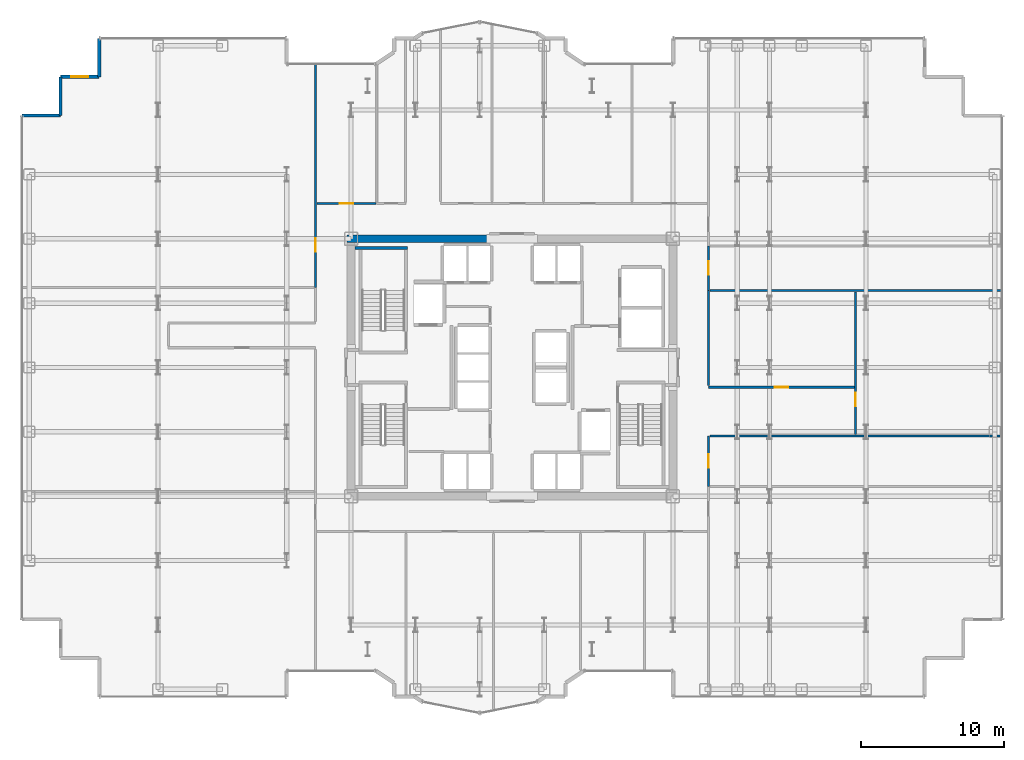
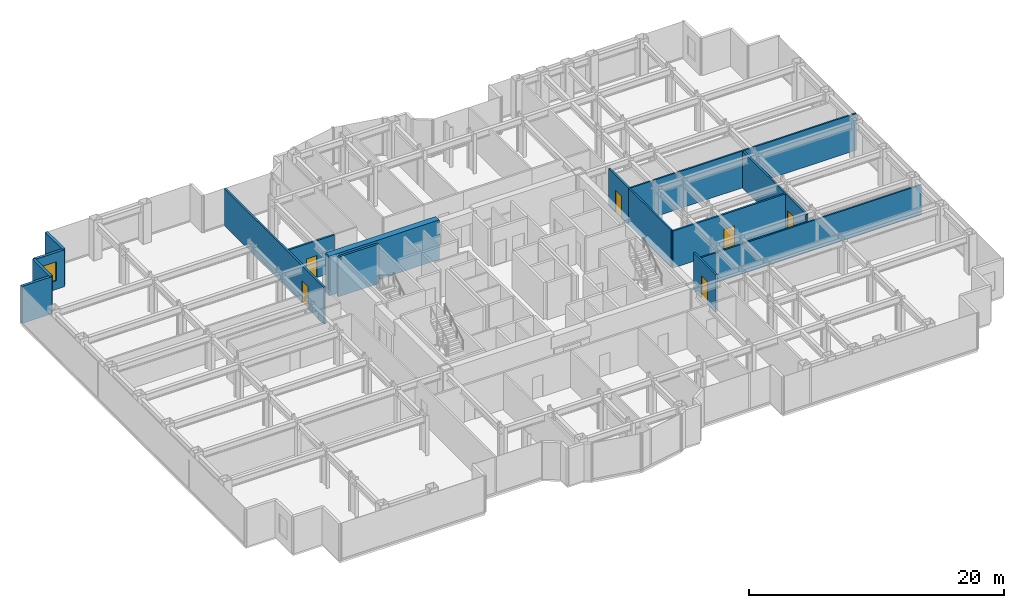
# One storey, part 23 of 26: 15 walls, 6 doors, 1 window, 7 openings.
"""IFC4 building model written with IfcOpenShell, lengths in metres."""

from ifc_helpers import new_model, si_unit, direction, frame, frame_2d, origin, place, context, subcontext, project, spatial, rectangle, extrude, source, transform, mapped, material, layer, layer_set, type_object, element, fill, save


model = new_model("IFC4")

# Units and contexts
model_context = context("Model", 3, precision=1e-05, world=origin(), true_north=direction((0.0, 1.0)))
body_context = subcontext(model_context, "Body", "Model", "MODEL_VIEW")
ifc_project = project(units=[si_unit("LENGTHUNIT", "METRE"), si_unit("AREAUNIT", "SQUARE_METRE"), si_unit("VOLUMEUNIT", "CUBIC_METRE"), si_unit("PLANEANGLEUNIT", "RADIAN"), si_unit("MASSUNIT", "GRAM", prefix="KILO")], contexts=[model_context])

# Site, building, storey
site_placement = place(None, origin())
site = spatial("IfcSite", under=ifc_project, at=site_placement, CompositionType="ELEMENT")
building_placement = place(site_placement, origin())
building = spatial("IfcBuilding", under=site, at=building_placement, Name="Nefas-Gora Pilgrimage Tower", CompositionType="ELEMENT")
storey_placement = place(building_placement, frame((0.0, 0.0, 132.60009765625)))
storey = spatial("IfcBuildingStorey", under=building, at=storey_placement, Name="L32", CompositionType="ELEMENT", Elevation=132.60009765625)

# Walls
ifc_material_1 = material(Name="Concrete C60/75", Category="concrete")
ifc_layer_1 = layer(ifc_material_1, 0.550048828125)
ifc_layer_set_1 = layer_set([ifc_layer_1], Name="Concrete C60/75")
wall_type_1 = type_object("IfcWallType", Name="SW-CORE-550", PredefinedType="SHEAR", material=ifc_layer_set_1)
shared_shape_1 = source(origin(), body_context, "Body", "SweptSolid", [
    extrude(rectangle(XDim=9.974853515625, YDim=0.550048828125, at=frame_2d((4.9873046875, 0.0))), origin(), (0.0, 0.0, 1.0), 3.7998046875),
])
wall_1_placement = place(storey_placement, frame((-11.52490234375, 9.0, 0.0), z_axis=(0.0, 0.0, 1.0), x_axis=(1.0, 0.0, 0.0)))
element("IfcWall", 1, at=wall_1_placement, inside=storey, type_object=wall_type_1, Name="L32 Core Shear Wall N-West", PredefinedType="SHEAR", context=body_context, shape_type="MappedRepresentation", body=[
    mapped(shared_shape_1, transform((0.0, 0.0, 0.0), x_axis=(1.0, 0.0, 0.0), y_axis=(0.0, 1.0, 0.0), z_axis=(0.0, 0.0, 1.0), scale=1.0)),
])
ifc_material_2 = material(Name="Precast concrete C45/55", Category="concrete")
ifc_layer_2 = layer(ifc_material_2, 0.239990234375)
ifc_layer_set_2 = layer_set([ifc_layer_2], Name="Precast concrete C45/55")
wall_type_2 = type_object("IfcWallType", Name="EW-SERR-240", PredefinedType="SHEAR", material=ifc_layer_set_2)
shared_shape_2 = source(origin(), body_context, "Body", "SweptSolid", [
    extrude(rectangle(XDim=2.699951171875, YDim=0.239990234375, at=frame_2d((1.35009765625, 0.0))), origin(), (0.0, 0.0, 1.0), 3.5498046875),
])
wall_2_placement = place(storey_placement, frame((-28.8701171875, 23.02001953125, 0.0), z_axis=(0.0, 0.0, 1.0), x_axis=(0.0, -1.0, 0.0)))
element("IfcWall", 2, at=wall_2_placement, inside=storey, type_object=wall_type_2, Name="L32 Serrated Corner Shear Pier Wall 20", PredefinedType="SHEAR", context=body_context, shape_type="MappedRepresentation", body=[
    mapped(shared_shape_2, transform((0.0, 0.0, 0.0), x_axis=(1.0, 0.0, 0.0), y_axis=(0.0, 1.0, 0.0), z_axis=(0.0, 0.0, 1.0), scale=1.0)),
])

# Wall, opening, window
wall_3_placement = place(storey_placement, frame((-28.8701171875, 20.320068359375, 0.0), z_axis=(0.0, 0.0, 1.0), x_axis=(-1.0, 0.0, 0.0)))
wall_3 = element("IfcWall", 3, at=wall_3_placement, inside=storey, type_object=wall_type_2, Name="L32 Serrated Corner Shear Pier Wall 21", PredefinedType="SHEAR", context=body_context, shape_type="MappedRepresentation", body=[
    mapped(shared_shape_2, transform((0.0, 0.0, 0.0), x_axis=(1.0, 0.0, 0.0), y_axis=(0.0, 1.0, 0.0), z_axis=(0.0, 0.0, 1.0), scale=1.0)),
])
opening_1_placement = place(wall_3_placement, frame((0.75, 0.0, 0.85009765625)))
opening_1 = element("IfcOpeningElement", 4, at=opening_1_placement, cuts=wall_3, Name="Opening W-V1", PredefinedType="OPENING", context=body_context, shape_type="SweptSolid", body=[
    extrude(rectangle(XDim=1.199951171875, YDim=1.800048828125, at=frame_2d((0.60009765625, 0.89990234375))), frame((0.0, 0.1298828125, 0.0), z_axis=(0.0, -1.0, 0.0), x_axis=(1.0, 0.0, 0.0)), (0.0, 0.0, 1.0), 0.260009765625),
])
ifc_material_3 = material(Name="Dark ceramic-fritted operable aluminium-glass window", Category="aluminium")
window_type = type_object("IfcWindowType", Name="WIN-VENT-1200x1800", PartitioningType="SINGLE_PANEL", PredefinedType="WINDOW", material=ifc_material_3)
shared_shape_3 = source(origin(), body_context, "Body", "SweptSolid", [
    extrude(rectangle(XDim=1.199951171875, YDim=1.800048828125, at=frame_2d((0.60009765625, 0.89990234375))), frame((0.0, 0.030029296875, 0.0), z_axis=(0.0, -1.0, 0.0), x_axis=(1.0, 0.0, 0.0)), (0.0, 0.0, 1.0), 0.06005859375),
])
window_placement = place(opening_1_placement, origin())
window = element("IfcWindow", 5, at=window_placement, inside=storey, type_object=window_type, Name="L32 Operable Parallel-Outswing Window 21", OverallHeight=1.800048828125, OverallWidth=1.199951171875, PartitioningType="SINGLE_PANEL", PredefinedType="WINDOW", context=body_context, shape_type="MappedRepresentation", body=[
    mapped(shared_shape_3, transform((0.0, 0.0, 0.0), x_axis=(1.0, 0.0, 0.0), y_axis=(0.0, 1.0, 0.0), z_axis=(0.0, 0.0, 1.0), scale=1.0)),
])
fill(opening_1, window)

# Walls
for number, where, z_axis, x_axis, name in (
    (6, (-31.570068359375, 20.320068359375, 0.0), (0.0, 0.0, 1.0), (0.0, -1.0, 0.0), "L32 Serrated Corner Shear Pier Wall 22"),
    (7, (-31.570068359375, 17.6201171875, 0.0), (0.0, 0.0, 1.0), (-1.0, 0.0, 0.0), "L32 Serrated Corner Shear Pier Wall 23"),
):
    element("IfcWall", number, at=place(storey_placement, frame(where, z_axis=z_axis, x_axis=x_axis)), inside=storey, type_object=wall_type_2, Name=name, PredefinedType="SHEAR", context=body_context, shape_type="MappedRepresentation", body=[
        mapped(shared_shape_2, transform((0.0, 0.0, 0.0), x_axis=(1.0, 0.0, 0.0), y_axis=(0.0, 1.0, 0.0), z_axis=(0.0, 0.0, 1.0), scale=1.0)),
    ])
ifc_material_4 = material(Name="Concrete C45/55", Category="concrete")
ifc_layer_3 = layer(ifc_material_4, 0.199951171875)
ifc_layer_set_3 = layer_set([ifc_layer_3], Name="Concrete C45/55")
wall_type_3 = type_object("IfcWallType", Name="IW-STAIR-200", PredefinedType="SOLIDWALL", material=ifc_layer_set_3)
shared_shape_4 = source(origin(), body_context, "Body", "SweptSolid", [
    extrude(rectangle(XDim=3.679931640625, YDim=0.199951171875, at=frame_2d((1.83984375, 0.0))), origin(), (0.0, 0.0, 1.0), 3.7998046875),
])
wall_4_placement = place(storey_placement, frame((-7.300048828125, 8.35009765625, 0.0), z_axis=(0.0, 0.0, 1.0), x_axis=(-1.0, 0.0, 0.0)))
element("IfcWall", 8, at=wall_4_placement, inside=storey, type_object=wall_type_3, Name="L32 Stairwell Shear Wall ST-01-far", PredefinedType="SOLIDWALL", context=body_context, shape_type="MappedRepresentation", body=[
    mapped(shared_shape_4, transform((0.0, 0.0, 0.0), x_axis=(1.0, 0.0, 0.0), y_axis=(0.0, 1.0, 0.0), z_axis=(0.0, 0.0, 1.0), scale=1.0)),
])

# Wall, opening, door
ifc_material_5 = material(Name="Gypsum acoustic stud partition")
ifc_layer_4 = layer(ifc_material_5, 0.159912109375)
ifc_layer_set_4 = layer_set([ifc_layer_4], Name="Gypsum acoustic stud partition")
wall_type_4 = type_object("IfcWallType", Name="IW-CORR-160", PredefinedType="PARTITIONING", material=ifc_layer_set_4)
shared_shape_5 = source(origin(), body_context, "Body", "SweptSolid", [
    extrude(rectangle(XDim=10.25, YDim=0.159912109375, at=frame_2d((5.125, 0.0))), origin(), (0.0, 0.0, 1.0), 3.534912109375),
])
wall_5_placement = place(storey_placement, frame((13.72998046875, -1.3798828125, 0.0), z_axis=(0.0, 0.0, 1.0), x_axis=(1.0, 0.0, 0.0)))
wall_5 = element("IfcWall", 9, at=wall_5_placement, inside=storey, type_object=wall_type_4, Name="L32 Pilgrim Tea and Beverage Pantry Partition Wall 36", PredefinedType="PARTITIONING", context=body_context, shape_type="MappedRepresentation", body=[
    mapped(shared_shape_5, transform((0.0, 0.0, 0.0), x_axis=(1.0, 0.0, 0.0), y_axis=(0.0, 1.0, 0.0), z_axis=(0.0, 0.0, 1.0), scale=1.0)),
])
opening_2_placement = place(wall_5_placement, frame((4.64990234375, 0.0, 0.0)))
opening_2 = element("IfcOpeningElement", 10, at=opening_2_placement, cuts=wall_5, Name="Opening ID-GR1", PredefinedType="OPENING", context=body_context, shape_type="SweptSolid", body=[
    extrude(rectangle(XDim=0.949951171875, YDim=2.10009765625, at=frame_2d((0.47509765625, 1.050048828125))), frame((0.0, 0.08984375, 0.0), z_axis=(0.0, -1.0, 0.0), x_axis=(1.0, 0.0, 0.0)), (0.0, 0.0, 1.0), 0.179931640625),
])
ifc_material_6 = material(Name="Solid core oak fire-rated guest entrance door")
door_type = type_object("IfcDoorType", Name="DR-INT-GUEST-950", OperationType="NOTDEFINED", PredefinedType="DOOR", material=ifc_material_6)
shared_shape_6 = source(origin(), body_context, "Body", "SweptSolid", [
    extrude(rectangle(XDim=0.949951171875, YDim=2.10009765625, at=frame_2d((0.47509765625, 1.050048828125))), frame((0.0, 0.02490234375, 0.0), z_axis=(0.0, -1.0, 0.0), x_axis=(1.0, 0.0, 0.0)), (0.0, 0.0, 1.0), 0.050048828125),
])
door_1_placement = place(opening_2_placement, origin())
door_1 = element("IfcDoor", 11, at=door_1_placement, inside=storey, type_object=door_type, Name="L32 Pilgrim Tea and Beverage Pantry Door 14", OperationType="SINGLE_SWING_LEFT", OverallHeight=2.10009765625, OverallWidth=0.949951171875, PredefinedType="DOOR", context=body_context, shape_type="MappedRepresentation", body=[
    mapped(shared_shape_6, transform((0.0, 0.0, 0.0), x_axis=(1.0, 0.0, 0.0), y_axis=(0.0, 1.0, 0.0), z_axis=(0.0, 0.0, 1.0), scale=1.0)),
])
fill(opening_2, door_1)

shared_shape_7 = source(origin(), body_context, "Body", "SweptSolid", [
    extrude(rectangle(XDim=4.125, YDim=0.159912109375, at=frame_2d((2.0625, 0.0))), origin(), (0.0, 0.0, 1.0), 3.534912109375),
])
wall_6_placement = place(storey_placement, frame((-13.6201171875, 11.469970703125, 0.0), z_axis=(0.0, 0.0, 1.0), x_axis=(1.0, 0.0, 0.0)))
wall_6 = element("IfcWall", 12, at=wall_6_placement, inside=storey, type_object=wall_type_4, Name="L32 Pilgrim Contemplative Lounge Partition Wall 43", PredefinedType="PARTITIONING", context=body_context, shape_type="MappedRepresentation", body=[
    mapped(shared_shape_7, transform((0.0, 0.0, 0.0), x_axis=(1.0, 0.0, 0.0), y_axis=(0.0, 1.0, 0.0), z_axis=(0.0, 0.0, 1.0), scale=1.0)),
])
opening_3_placement = place(wall_6_placement, frame((1.58740234375, 0.0, 0.0)))
opening_3 = element("IfcOpeningElement", 13, at=opening_3_placement, cuts=wall_6, Name="Opening ID-GR1", PredefinedType="OPENING", context=body_context, shape_type="SweptSolid", body=[
    extrude(rectangle(XDim=0.949951171875, YDim=2.10009765625, at=frame_2d((0.47509765625, 1.050048828125))), frame((0.0, 0.08984375, 0.0), z_axis=(0.0, -1.0, 0.0), x_axis=(1.0, 0.0, 0.0)), (0.0, 0.0, 1.0), 0.179931640625),
])
door_2_placement = place(opening_3_placement, origin())
door_2 = element("IfcDoor", 14, at=door_2_placement, inside=storey, type_object=door_type, Name="L32 Pilgrim Contemplative Lounge Door 18", OperationType="SINGLE_SWING_LEFT", OverallHeight=2.10009765625, OverallWidth=0.949951171875, PredefinedType="DOOR", context=body_context, shape_type="MappedRepresentation", body=[
    mapped(shared_shape_6, transform((0.0, 0.0, 0.0), x_axis=(1.0, 0.0, 0.0), y_axis=(0.0, 1.0, 0.0), z_axis=(0.0, 0.0, 1.0), scale=1.0)),
])
fill(opening_3, door_2)

# Walls
ifc_material_7 = material(Name="Gypsum twin-stud partition")
ifc_layer_5 = layer(ifc_material_7, 0.139892578125)
ifc_layer_set_5 = layer_set([ifc_layer_5], Name="Gypsum twin-stud partition")
wall_type_5 = type_object("IfcWallType", Name="IW-UNIT-140", PredefinedType="PARTITIONING", material=ifc_layer_set_5)
shared_shape_8 = source(origin(), body_context, "Body", "SweptSolid", [
    extrude(rectangle(XDim=20.43994140625, YDim=0.139892578125, at=frame_2d((10.219970703125, 0.0))), origin(), (0.0, 0.0, 1.0), 3.534912109375),
])
wall_7_placement = place(storey_placement, frame((13.85009765625, 5.39501953125, 0.0), z_axis=(0.0, 0.0, 1.0), x_axis=(1.0, 0.0, 0.0)))
element("IfcWall", 15, at=wall_7_placement, inside=storey, type_object=wall_type_5, Name="L32 Pilgrim Tea and Beverage Pantry Partition Wall 38", PredefinedType="PARTITIONING", context=body_context, shape_type="MappedRepresentation", body=[
    mapped(shared_shape_8, transform((0.0, 0.0, 0.0), x_axis=(1.0, 0.0, 0.0), y_axis=(0.0, 1.0, 0.0), z_axis=(0.0, 0.0, 1.0), scale=1.0)),
])
shared_shape_9 = source(origin(), body_context, "Body", "SweptSolid", [
    extrude(rectangle(XDim=6.6650390625, YDim=0.139892578125, at=frame_2d((3.33251953125, 0.0))), origin(), (0.0, 0.0, 1.0), 3.534912109375),
])
wall_8_placement = place(storey_placement, frame((13.739990234375, -1.260009765625, 0.0), z_axis=(0.0, 0.0, 1.0), x_axis=(0.0, 1.0, 0.0)))
element("IfcWall", 16, at=wall_8_placement, inside=storey, type_object=wall_type_5, Name="L32 Pilgrim Tea and Beverage Pantry Partition Wall 37", PredefinedType="PARTITIONING", context=body_context, shape_type="MappedRepresentation", body=[
    mapped(shared_shape_9, transform((0.0, 0.0, 0.0), x_axis=(1.0, 0.0, 0.0), y_axis=(0.0, 1.0, 0.0), z_axis=(0.0, 0.0, 1.0), scale=1.0)),
])
shared_shape_10 = source(origin(), body_context, "Body", "SweptSolid", [
    extrude(rectangle(XDim=20.429931640625, YDim=0.139892578125, at=frame_2d((10.21484375, 0.0))), origin(), (0.0, 0.0, 1.0), 2.875),
])
wall_9_placement = place(storey_placement, frame((13.860107421875, -4.804931640625, 0.0), z_axis=(0.0, 0.0, 1.0), x_axis=(1.0, 0.0, 0.0)))
element("IfcWall", 17, at=wall_9_placement, inside=storey, type_object=wall_type_5, Name="L32 Pilgrim Tea and Beverage Pantry Partition Wall 35", PredefinedType="PARTITIONING", context=body_context, shape_type="MappedRepresentation", body=[
    mapped(shared_shape_10, transform((0.0, 0.0, 0.0), x_axis=(1.0, 0.0, 0.0), y_axis=(0.0, 1.0, 0.0), z_axis=(0.0, 0.0, 1.0), scale=1.0)),
])

# Wall, opening, door
shared_shape_11 = source(origin(), body_context, "Body", "SweptSolid", [
    extrude(rectangle(XDim=15.64501953125, YDim=0.159912109375, at=frame_2d((7.822509765625, 0.0))), origin(), (0.0, 0.0, 1.0), 3.534912109375),
])
wall_10_placement = place(storey_placement, frame((-13.739990234375, 5.594970703125, 0.0), z_axis=(0.0, 0.0, 1.0), x_axis=(0.0, 1.0, 0.0)))
wall_10 = element("IfcWall", 18, at=wall_10_placement, inside=storey, type_object=wall_type_4, Name="L32 Pilgrim Floor Concierge Foyer Partition Wall 31", PredefinedType="PARTITIONING", context=body_context, shape_type="MappedRepresentation", body=[
    mapped(shared_shape_11, transform((0.0, 0.0, 0.0), x_axis=(1.0, 0.0, 0.0), y_axis=(0.0, 1.0, 0.0), z_axis=(0.0, 0.0, 1.0), scale=1.0)),
])
opening_4_placement = place(wall_10_placement, frame((2.482421875, 0.0, 0.0)))
opening_4 = element("IfcOpeningElement", 19, at=opening_4_placement, cuts=wall_10, Name="Opening ID-GR1", PredefinedType="OPENING", context=body_context, shape_type="SweptSolid", body=[
    extrude(rectangle(XDim=0.949951171875, YDim=2.10009765625, at=frame_2d((0.47509765625, 1.050048828125))), frame((0.0, 0.08984375, 0.0), z_axis=(0.0, -1.0, 0.0), x_axis=(1.0, 0.0, 0.0)), (0.0, 0.0, 1.0), 0.179931640625),
])
door_3_placement = place(opening_4_placement, origin())
door_3 = element("IfcDoor", 20, at=door_3_placement, inside=storey, type_object=door_type, Name="L32 Pilgrim Floor Concierge Foyer Door 11", OperationType="SINGLE_SWING_RIGHT", OverallHeight=2.10009765625, OverallWidth=0.949951171875, PredefinedType="DOOR", context=body_context, shape_type="MappedRepresentation", body=[
    mapped(shared_shape_6, transform((0.0, 0.0, 0.0), x_axis=(1.0, 0.0, 0.0), y_axis=(0.0, 1.0, 0.0), z_axis=(0.0, 0.0, 1.0), scale=1.0)),
])
fill(opening_4, door_3)

shared_shape_12 = source(origin(), body_context, "Body", "SweptSolid", [
    extrude(rectangle(XDim=3.510009765625, YDim=0.159912109375, at=frame_2d((1.7548828125, 0.0))), origin(), (0.0, 0.0, 1.0), 3.534912109375),
])
wall_11_placement = place(storey_placement, frame((13.739990234375, -8.304931640625, 0.0), z_axis=(0.0, 0.0, 1.0), x_axis=(0.0, 1.0, 0.0)))
wall_11 = element("IfcWall", 21, at=wall_11_placement, inside=storey, type_object=wall_type_4, Name="L32 Pilgrim Tea and Beverage Pantry Partition Wall 34", PredefinedType="PARTITIONING", context=body_context, shape_type="MappedRepresentation", body=[
    mapped(shared_shape_12, transform((0.0, 0.0, 0.0), x_axis=(1.0, 0.0, 0.0), y_axis=(0.0, 1.0, 0.0), z_axis=(0.0, 0.0, 1.0), scale=1.0)),
])
opening_5_placement = place(wall_11_placement, frame((1.280029296875, 0.0, 0.0)))
opening_5 = element("IfcOpeningElement", 22, at=opening_5_placement, cuts=wall_11, Name="Opening ID-GR1", PredefinedType="OPENING", context=body_context, shape_type="SweptSolid", body=[
    extrude(rectangle(XDim=0.949951171875, YDim=2.10009765625, at=frame_2d((0.47509765625, 1.050048828125))), frame((0.0, 0.08984375, 0.0), z_axis=(0.0, -1.0, 0.0), x_axis=(1.0, 0.0, 0.0)), (0.0, 0.0, 1.0), 0.179931640625),
])
door_4_placement = place(opening_5_placement, origin())
door_4 = element("IfcDoor", 23, at=door_4_placement, inside=storey, type_object=door_type, Name="L32 Pilgrim Tea and Beverage Pantry Door 13", OperationType="SINGLE_SWING_RIGHT", OverallHeight=2.10009765625, OverallWidth=0.949951171875, PredefinedType="DOOR", context=body_context, shape_type="MappedRepresentation", body=[
    mapped(shared_shape_6, transform((0.0, 0.0, 0.0), x_axis=(1.0, 0.0, 0.0), y_axis=(0.0, 1.0, 0.0), z_axis=(0.0, 0.0, 1.0), scale=1.0)),
])
fill(opening_5, door_4)

shared_shape_13 = source(origin(), body_context, "Body", "SweptSolid", [
    extrude(rectangle(XDim=9.97998046875, YDim=0.159912109375, at=frame_2d((4.989990234375, 0.0))), origin(), (0.0, 0.0, 1.0), 3.534912109375),
])
wall_12_placement = place(storey_placement, frame((24.02001953125, -4.695068359375, 0.0), z_axis=(0.0, 0.0, 1.0), x_axis=(0.0, 1.0, 0.0)))
wall_12 = element("IfcWall", 24, at=wall_12_placement, inside=storey, type_object=wall_type_4, Name="L32 Pilgrim Tea and Beverage Pantry Partition Wall 39", PredefinedType="PARTITIONING", context=body_context, shape_type="MappedRepresentation", body=[
    mapped(shared_shape_13, transform((0.0, 0.0, 0.0), x_axis=(1.0, 0.0, 0.0), y_axis=(0.0, 1.0, 0.0), z_axis=(0.0, 0.0, 1.0), scale=1.0)),
])
opening_6_placement = place(wall_12_placement, frame((1.969970703125, 0.0, 0.0)))
opening_6 = element("IfcOpeningElement", 25, at=opening_6_placement, cuts=wall_12, Name="Opening ID-GR1", PredefinedType="OPENING", context=body_context, shape_type="SweptSolid", body=[
    extrude(rectangle(XDim=0.949951171875, YDim=2.10009765625, at=frame_2d((0.47509765625, 1.050048828125))), frame((0.0, 0.08984375, 0.0), z_axis=(0.0, -1.0, 0.0), x_axis=(1.0, 0.0, 0.0)), (0.0, 0.0, 1.0), 0.179931640625),
])
door_5_placement = place(opening_6_placement, origin())
door_5 = element("IfcDoor", 26, at=door_5_placement, inside=storey, type_object=door_type, Name="L32 Pilgrim Tea and Beverage Pantry Door 15", OperationType="SINGLE_SWING_RIGHT", OverallHeight=2.10009765625, OverallWidth=0.949951171875, PredefinedType="DOOR", context=body_context, shape_type="MappedRepresentation", body=[
    mapped(shared_shape_6, transform((0.0, 0.0, 0.0), x_axis=(1.0, 0.0, 0.0), y_axis=(0.0, 1.0, 0.0), z_axis=(0.0, 0.0, 1.0), scale=1.0)),
])
fill(opening_6, door_5)

shared_shape_14 = source(origin(), body_context, "Body", "SweptSolid", [
    extrude(rectangle(XDim=3.10986328125, YDim=0.159912109375, at=frame_2d((1.554931640625, 0.0))), origin(), (0.0, 0.0, 1.0), 3.534912109375),
])
wall_13_placement = place(storey_placement, frame((13.739990234375, 5.39501953125, 0.0), z_axis=(0.0, 0.0, 1.0), x_axis=(0.0, 1.0, 0.0)))
wall_13 = element("IfcWall", 27, at=wall_13_placement, inside=storey, type_object=wall_type_4, Name="L32 Pilgrim Fellowship Seminar Room Partition Wall 40", PredefinedType="PARTITIONING", context=body_context, shape_type="MappedRepresentation", body=[
    mapped(shared_shape_14, transform((0.0, 0.0, 0.0), x_axis=(1.0, 0.0, 0.0), y_axis=(0.0, 1.0, 0.0), z_axis=(0.0, 0.0, 1.0), scale=1.0)),
])
opening_7_placement = place(wall_13_placement, frame((1.080078125, 0.0, 0.0)))
opening_7 = element("IfcOpeningElement", 28, at=opening_7_placement, cuts=wall_13, Name="Opening ID-GR1", PredefinedType="OPENING", context=body_context, shape_type="SweptSolid", body=[
    extrude(rectangle(XDim=0.949951171875, YDim=2.10009765625, at=frame_2d((0.47509765625, 1.050048828125))), frame((0.0, 0.08984375, 0.0), z_axis=(0.0, -1.0, 0.0), x_axis=(1.0, 0.0, 0.0)), (0.0, 0.0, 1.0), 0.179931640625),
])
door_6_placement = place(opening_7_placement, origin())
door_6 = element("IfcDoor", 29, at=door_6_placement, inside=storey, type_object=door_type, Name="L32 Pilgrim Fellowship Seminar Room Door 16", OperationType="SINGLE_SWING_LEFT", OverallHeight=2.10009765625, OverallWidth=0.949951171875, PredefinedType="DOOR", context=body_context, shape_type="MappedRepresentation", body=[
    mapped(shared_shape_6, transform((0.0, 0.0, 0.0), x_axis=(1.0, 0.0, 0.0), y_axis=(0.0, 1.0, 0.0), z_axis=(0.0, 0.0, 1.0), scale=1.0)),
])
fill(opening_7, door_6)

save(model, "model.ifc")
